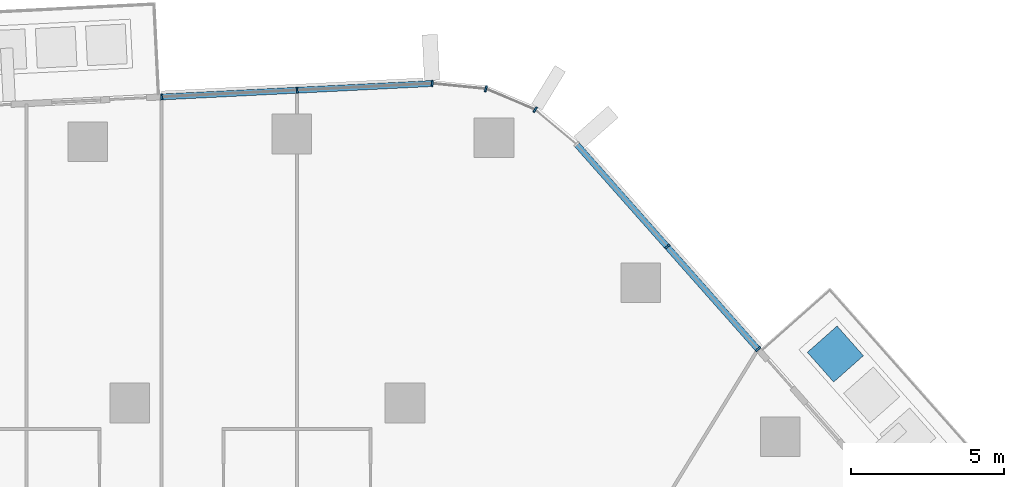
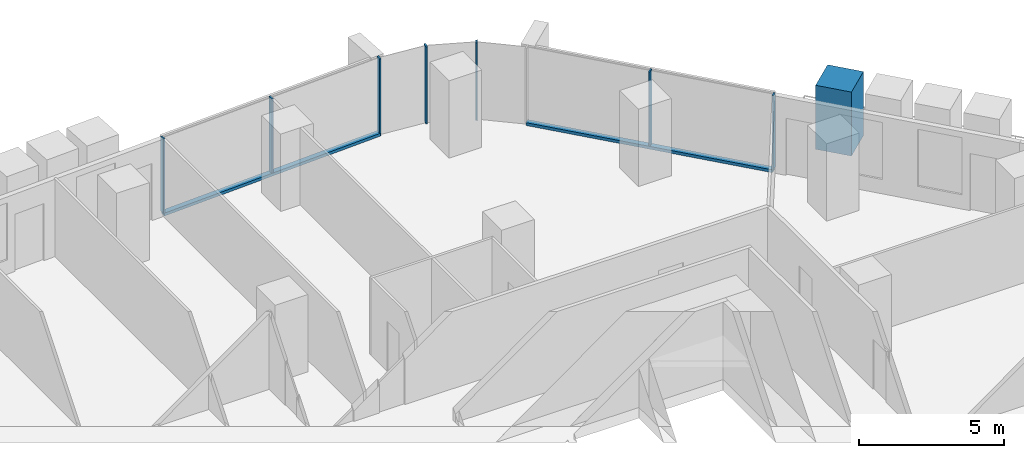
# One storey, part 8 of 24: 10 members, 3 elements without a shape of their own.
"""IFC4 building model written with IfcOpenShell, lengths in metres."""

from ifc_helpers import new_model, si_unit, direction, frame, origin, origin_2d, place, context, subcontext, project, spatial, rectangle, extrude, material, layer, layer_set, material_profile, profile_set, type_object, element, aggregate, save


model = new_model("IFC4")

# Units and contexts
model_context = context("Model", 3, precision=1e-05, world=origin(), true_north=direction((0.0, 1.0)))
body_context = subcontext(model_context, "Body", "Model", "MODEL_VIEW")
ifc_project = project(units=[si_unit("LENGTHUNIT", "METRE"), si_unit("AREAUNIT", "SQUARE_METRE"), si_unit("VOLUMEUNIT", "CUBIC_METRE"), si_unit("PLANEANGLEUNIT", "RADIAN"), si_unit("MASSUNIT", "GRAM", prefix="KILO")], contexts=[model_context])

# Site, building, storey
site_placement = place(None, origin())
site = spatial("IfcSite", under=ifc_project, at=site_placement, CompositionType="ELEMENT")
building_placement = place(site_placement, origin())
building = spatial("IfcBuilding", under=site, at=building_placement, Name="Dongbaek Canopy Tower", CompositionType="ELEMENT")
storey_placement = place(building_placement, frame((0.0, 0.0, 98.89990234375)))
storey = spatial("IfcBuildingStorey", under=building, at=storey_placement, Name="L20", CompositionType="ELEMENT", Elevation=98.89990234375)

# Curtain wall, members
ifc_material_1 = material(Name="Aluminium 6063-T6 pale anodised", Category="aluminium")
ifc_layer = layer(ifc_material_1, 0.199951171875)
ifc_layer_set = layer_set([ifc_layer], Name="CW-1 unitised tower curtain wall")
curtain_wall_type = type_object("IfcCurtainWallType", Name="CW-1 unitised tower curtain wall", PredefinedType="NOTDEFINED", material=ifc_layer_set)
curtain_wall_1_placement = place(storey_placement, origin())
curtain_wall_1 = element("IfcCurtainWall", 1, at=curtain_wall_1_placement, inside=storey, type_object=curtain_wall_type, Name="CW-1 curtain wall F0.1", PredefinedType="NOTDEFINED")
ifc_material_2 = material(Name="Aluminium 6063-T6 pale anodised", Category="aluminium")
ifc_material_profile_1 = material_profile(ifc_material_2, rectangle(XDim=0.199951171875, YDim=0.06005859375, at=origin_2d()), Name="CW-1 mullion 60 x 200")
ifc_profile_set_1 = profile_set([ifc_material_profile_1], Name="Aluminium 6063-T6 pale anodised")
member_type_1 = type_object("IfcMemberType", Name="CW-1 mullion 60 x 200", PredefinedType="MULLION", material=ifc_profile_set_1)
member_1_placement = place(storey_placement, frame((20.55322265625, 19.75830078125, 0.1201171875), z_axis=(0.0, 0.0, 1.0), x_axis=(0.748748761505, 0.662853899547, 0.0)))
member_1 = element("IfcMember", 2, at=member_1_placement, type_object=member_type_1, Name="CW-1 mullion F0.1.1", PredefinedType="MULLION", context=body_context, shape_type="SweptSolid", body=[
    extrude(rectangle(XDim=0.199951171875, YDim=0.06005859375, at=origin_2d()), origin(), (0.0, 0.0, 1.0), 3.1298828125),
])
member_2_placement = place(storey_placement, frame((17.58251953125, 23.1142578125, 0.1201171875), z_axis=(0.0, 0.0, 1.0), x_axis=(0.748748761505, 0.662853899547, 0.0)))
member_2 = element("IfcMember", 3, at=member_2_placement, type_object=member_type_1, Name="CW-1 mullion F0.1.2", PredefinedType="MULLION", context=body_context, shape_type="SweptSolid", body=[
    extrude(rectangle(XDim=0.199951171875, YDim=0.06005859375, at=origin_2d()), origin(), (0.0, 0.0, 1.0), 3.1298828125),
])

curtain_wall_2_placement = place(storey_placement, origin())
curtain_wall_2 = element("IfcCurtainWall", 4, at=curtain_wall_2_placement, inside=storey, type_object=curtain_wall_type, Name="CW-1 curtain wall K1.1", PredefinedType="NOTDEFINED")
member_3_placement = place(storey_placement, frame((13.26513671875, 27.595458984375, 0.0), z_axis=(0.0, 0.0, 1.0), x_axis=(0.52063580257, 0.853778871302, 0.0)))
member_3 = element("IfcMember", 5, at=member_3_placement, type_object=member_type_1, Name="CW-1 mullion K1.1.2", PredefinedType="MULLION", context=body_context, shape_type="SweptSolid", body=[
    extrude(rectangle(XDim=0.199951171875, YDim=0.06005859375, at=origin_2d()), origin(), (0.0, 0.0, 1.0), 3.25),
])
member_4_placement = place(storey_placement, frame((11.647705078125, 28.276123046875, 0.0), z_axis=(0.0, 0.0, 1.0), x_axis=(0.246452892048, 0.969154771954, 0.0)))
member_4 = element("IfcMember", 6, at=member_4_placement, type_object=member_type_1, Name="CW-1 mullion K1.1.3", PredefinedType="MULLION", context=body_context, shape_type="SweptSolid", body=[
    extrude(rectangle(XDim=0.199951171875, YDim=0.06005859375, at=origin_2d()), origin(), (0.0, 0.0, 1.0), 3.25),
])
member_5_placement = place(storey_placement, frame((9.89404296875, 28.45166015625, 0.0), z_axis=(0.0, 0.0, 1.0), x_axis=(0.099564835385, 0.995031076678, 0.0)))
member_5 = element("IfcMember", 7, at=member_5_placement, type_object=member_type_1, Name="CW-1 mullion K1.1.4", PredefinedType="MULLION", context=body_context, shape_type="SweptSolid", body=[
    extrude(rectangle(XDim=0.199951171875, YDim=0.06005859375, at=origin_2d()), origin(), (0.0, 0.0, 1.0), 3.25),
])
aggregate(curtain_wall_2, [member_3, member_4, member_5])

curtain_wall_3_placement = place(storey_placement, origin())
curtain_wall_3 = element("IfcCurtainWall", 8, at=curtain_wall_3_placement, inside=storey, type_object=curtain_wall_type, Name="CW-1 curtain wall F1.1", PredefinedType="NOTDEFINED")
member_6_placement = place(storey_placement, frame((5.471923828125, 28.232177734375, 0.1201171875), z_axis=(0.0, 0.0, 1.0), x_axis=(-0.049538109177, 0.998772234165, 0.0)))
member_6 = element("IfcMember", 9, at=member_6_placement, type_object=member_type_1, Name="CW-1 mullion F1.1.2", PredefinedType="MULLION", context=body_context, shape_type="SweptSolid", body=[
    extrude(rectangle(XDim=0.199951171875, YDim=0.06005859375, at=origin_2d()), origin(), (0.0, 0.0, 1.0), 3.1298828125),
])
member_7_placement = place(storey_placement, frame((1.042236328125, 28.012451171875, 0.1201171875), z_axis=(0.0, 0.0, 1.0), x_axis=(-0.049538109177, 0.998772234165, 0.0)))
member_7 = element("IfcMember", 10, at=member_7_placement, type_object=member_type_1, Name="CW-1 mullion F1.1.3", PredefinedType="MULLION", context=body_context, shape_type="SweptSolid", body=[
    extrude(rectangle(XDim=0.199951171875, YDim=0.06005859375, at=origin_2d()), origin(), (0.0, 0.0, 1.0), 3.1298828125),
])

# Member
ifc_material_3 = material(Name="Aluminium 6063-T6 pale anodised", Category="aluminium")
ifc_material_profile_2 = material_profile(ifc_material_3, rectangle(XDim=0.199951171875, YDim=0.1201171875, at=origin_2d()), Name="CW-1 transom 120 x 200")
ifc_profile_set_2 = profile_set([ifc_material_profile_2], Name="Aluminium 6063-T6 pale anodised")
member_type_2 = type_object("IfcMemberType", Name="CW-1 transom 120 x 200", PredefinedType="USERDEFINED", material=ifc_profile_set_2)
member_8_placement = place(storey_placement, frame((20.55322265625, 19.75830078125, 0.06005859375), z_axis=(-0.662854975581, 0.74874780891, 0.0), x_axis=(-0.74874780891, -0.662854975581, 0.0)))
member_8 = element("IfcMember", 11, at=member_8_placement, type_object=member_type_2, Name="CW-1 transom F0.1.1", ObjectType="TRANSOM", PredefinedType="USERDEFINED", context=body_context, shape_type="SweptSolid", body=[
    extrude(rectangle(XDim=0.199951171875, YDim=0.1201171875, at=origin_2d()), origin(), (0.0, 0.0, 1.0), 8.956298828125),
])

aggregate(curtain_wall_1, [member_1, member_2, member_8])

member_9_placement = place(storey_placement, frame((9.89404296875, 28.45166015625, 0.06005859375), z_axis=(-0.998771295089, -0.049557038913, 0.0), x_axis=(0.049557038913, -0.998771295089, 0.0)))
member_9 = element("IfcMember", 12, at=member_9_placement, type_object=member_type_2, Name="CW-1 transom F1.1.1", ObjectType="TRANSOM", PredefinedType="USERDEFINED", context=body_context, shape_type="SweptSolid", body=[
    extrude(rectangle(XDim=0.199951171875, YDim=0.1201171875, at=origin_2d()), origin(), (0.0, 0.0, 1.0), 8.86279296875),
])

aggregate(curtain_wall_3, [member_6, member_7, member_9])

ifc_material_4 = material(Name="Concrete C40/50 planter mass with planting", Category="concrete")
ifc_material_profile_3 = material_profile(ifc_material_4, rectangle(XDim=1.300048828125, YDim=1.300048828125, at=origin_2d()), Name="Terrace PLANTER shrub mass 1300 x 1300")
ifc_profile_set_3 = profile_set([ifc_material_profile_3], Name="Concrete C40/50 planter mass with planting")
member_type_3 = type_object("IfcMemberType", Name="Terrace PLANTER shrub mass 1300 x 1300", PredefinedType="USERDEFINED", material=ifc_profile_set_3)
member_10_placement = place(storey_placement, frame((23.083740234375, 19.600341796875, 0.420166015625), z_axis=(0.0, 0.0, 1.0), x_axis=(0.748748761505, 0.662853899547, 0.0)))
element("IfcMember", 13, at=member_10_placement, inside=storey, type_object=member_type_3, Name="Planter shrubs L20 1.4", ObjectType="PLANTER", PredefinedType="USERDEFINED", context=body_context, shape_type="SweptSolid", body=[
    extrude(rectangle(XDim=1.300048828125, YDim=1.300048828125, at=origin_2d()), origin(), (0.0, 0.0, 1.0), 2.68994140625),
])

save(model, "model.ifc")
